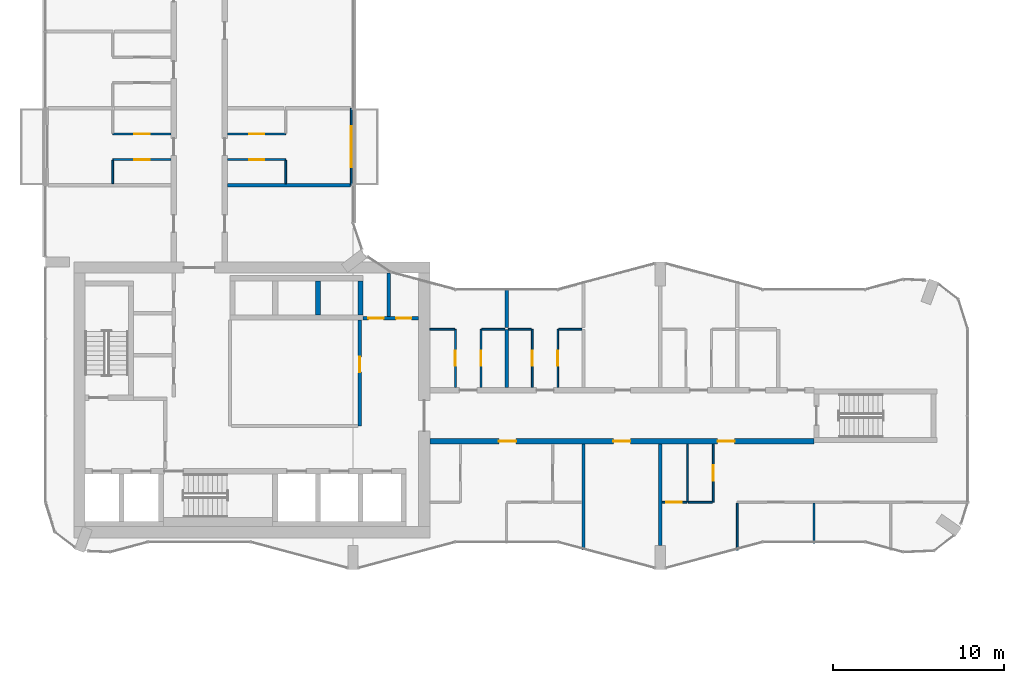
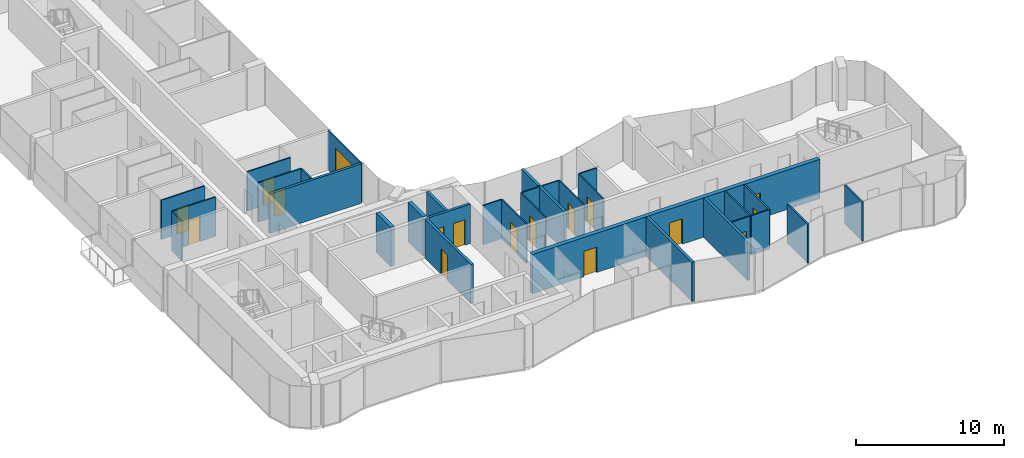
# One storey, part 14 of 22: 32 walls, 17 doors, 17 openings.
"""IFC4 building model written with IfcOpenShell, lengths in metres."""

import ifcopenshell
import ifcopenshell.guid

model = None  # the IFC model being written
_history = None  # IfcOwnerHistory: only IFC2X3 demands one
_inside = {}  # id of a spatial element -> (the spatial element, [elements in it])
_under = {}  # id of a project, library or spatial element -> (it, [spatial elements below it])
_declared = {}  # id of a project -> (the project, [libraries it declares])
_typed = {}  # id of a type object -> (the type object, [elements of that type])
_made_of = {}  # id of a material, layer set ... -> (it, [elements and type objects made of it])


def new_model(schema):
    """Start an empty IFC model of exactly this schema.

    Asked for "IFC4X3", IfcOpenShell would pick the latest addendum, in which some entities
    have other attributes; the version numbers below select the first issue.
    IFC2X3 requires an IfcOwnerHistory on every rooted entity: one is made here for all.
    """
    global model, _history
    if schema == "IFC4X3":
        model = ifcopenshell.file(schema_version=(4, 3, 0, 0))
    else:
        model = ifcopenshell.file(schema=schema)
    _inside.clear()
    _under.clear()
    _declared.clear()
    _typed.clear()
    _made_of.clear()
    _history = None
    if model.schema == "IFC2X3":
        org = make("IfcOrganization", Name="unknown")
        user = make(
            "IfcPersonAndOrganization",
            ThePerson=make("IfcPerson", FamilyName="unknown"),
            TheOrganization=org,
        )
        app = make(
            "IfcApplication",
            ApplicationDeveloper=org,
            Version="unknown",
            ApplicationFullName="unknown",
            ApplicationIdentifier="unknown",
        )
        _history = make(
            "IfcOwnerHistory",
            OwningUser=user,
            OwningApplication=app,
            ChangeAction="ADDED",
            CreationDate=0,
        )
    return model


def make(cls, **values):
    """One entity of the class cls with the attributes given. An attribute that is None is left unset."""
    return model.create_entity(
        cls, **{name: value for name, value in values.items() if value is not None}
    )


def rooted(cls, **values):
    """An entity with a GlobalId (a new one), such as an element, a storey or a relation."""
    return make(cls, GlobalId=ifcopenshell.guid.new(), OwnerHistory=_history, **values)


def si_unit(unit_type, name, prefix=None):
    """IfcSIUnit, for example si_unit("LENGTHUNIT", "METRE", prefix="MILLI")."""
    return make("IfcSIUnit", UnitType=unit_type, Prefix=prefix, Name=name)


def assignment(units):
    """IfcUnitAssignment: the units of a project."""
    return None if units is None else make("IfcUnitAssignment", Units=units)


def point(xyz):
    """IfcCartesianPoint."""
    return None if xyz is None else make("IfcCartesianPoint", Coordinates=xyz)


def direction(xyz):
    """IfcDirection."""
    return None if xyz is None else make("IfcDirection", DirectionRatios=xyz)


def frame(location, z_axis=None, x_axis=None):
    """IfcAxis2Placement3D, a coordinate frame: its origin and axes. An axis left out is left unset."""
    return make(
        "IfcAxis2Placement3D",
        Location=point(location),
        Axis=direction(z_axis),
        RefDirection=direction(x_axis),
    )


def frame_2d(location, x_axis=None):
    """IfcAxis2Placement2D, a coordinate frame in the plane: its origin and x axis."""
    return make(
        "IfcAxis2Placement2D", Location=point(location), RefDirection=direction(x_axis)
    )


def origin():
    """The frame at (0, 0, 0) with its axes left unset."""
    return frame((0.0, 0.0, 0.0))


def place(relative_to, where):
    """IfcLocalPlacement: puts the frame where relative to a parent placement (None: the world)."""
    return make(
        "IfcLocalPlacement", PlacementRelTo=relative_to, RelativePlacement=where
    )


def context(
    kind, dimensions, precision=None, world=None, true_north=None, identifier=None
):
    """IfcGeometricRepresentationContext, for example the 3D "Model" context."""
    return make(
        "IfcGeometricRepresentationContext",
        ContextIdentifier=identifier,
        ContextType=kind,
        CoordinateSpaceDimension=dimensions,
        Precision=precision,
        WorldCoordinateSystem=world,
        TrueNorth=true_north,
    )


def subcontext(parent, identifier, kind, view, scale=None):
    """IfcGeometricRepresentationSubContext, for example "Body" below "Model"."""
    return make(
        "IfcGeometricRepresentationSubContext",
        ContextIdentifier=identifier,
        ContextType=kind,
        ParentContext=parent,
        TargetScale=scale,
        TargetView=view,
    )


def project(units=None, contexts=None):
    """IfcProject with its units and contexts."""
    return rooted(
        "IfcProject",
        Name="project",
        RepresentationContexts=contexts,
        UnitsInContext=assignment(units),
    )


def spatial(cls, under=None, at=None, **own):
    """A site, building, storey or space (cls), placed at a placement, below another one or the project."""
    s = rooted(cls, ObjectPlacement=at, **own)
    if under is not None:
        _under.setdefault(under.id(), (under, []))[1].append(s)
    return s


def profile(cls, at=None, kind="AREA", **sizes):
    """A parametric profile (cls). Its sizes go by their IFC names, for example OverallWidth=200.0."""
    return make(cls, ProfileType=kind, Position=at, **sizes)


def rectangle(**sizes):
    """IfcRectangleProfileDef."""
    return profile("IfcRectangleProfileDef", **sizes)


def extrude(swept, where, along, depth):
    """IfcExtrudedAreaSolid: the profile swept, set in the frame where, extruded along a direction by depth."""
    return make(
        "IfcExtrudedAreaSolid",
        SweptArea=swept,
        Position=where,
        ExtrudedDirection=direction(along),
        Depth=depth,
    )


def shape(context_of_items, identifier, shape_type, items):
    """IfcShapeRepresentation: the items that make up one representation, for example the "Body"."""
    return make(
        "IfcShapeRepresentation",
        ContextOfItems=context_of_items,
        RepresentationIdentifier=identifier,
        RepresentationType=shape_type,
        Items=items,
    )


def material(Name=None, Category=None):
    """IfcMaterial."""
    return make("IfcMaterial", Name=Name, Category=Category)


def layer(
    of_material, thickness, ventilated=None, Name=None, Category=None, Priority=None
):
    """IfcMaterialLayer: one layer of a wall or slab, of a material (None: an air gap)."""
    return make(
        "IfcMaterialLayer",
        Material=of_material,
        LayerThickness=thickness,
        IsVentilated=ventilated,
        Name=Name,
        Category=Category,
        Priority=Priority,
    )


def layer_set(layers, Name=None):
    """IfcMaterialLayerSet."""
    return make("IfcMaterialLayerSet", MaterialLayers=layers, LayerSetName=Name)


def made_of(thing, what):
    """Note that an element or type object is made of a material, layer set ...; save() writes the relation."""
    if what is not None:
        _made_of.setdefault(what.id(), (what, []))[1].append(thing)
    return thing


def type_object(cls, material=None, **own):
    """A type object (cls), such as IfcWallType, which elements share."""
    return made_of(rooted(cls, **own), material)


def element(
    cls,
    number,
    at=None,
    inside=None,
    cuts=None,
    type_object=None,
    material=None,
    context=None,
    identifier="Body",
    shape_type=None,
    held_by="IfcProductDefinitionShape",
    body=None,
    shapes=None,
    **own,
):
    """One element of the class cls, such as IfcWall. Its Tag is "e" and its number.

    at: its placement. inside: the storey or other place that contains it. cuts: it is an
    opening in that element (IfcRelVoidsElement). A single representation is given by context,
    identifier, shape_type and body (its items); several are given by shapes. held_by: the class
    of the entity that holds the representations. save() writes the other relations.
    """
    e = rooted(cls, Tag="e%d" % number, ObjectPlacement=at, **own)
    if body is not None:
        shapes = [shape(context, identifier, shape_type, body)]
    if shapes is not None:
        e.Representation = make(held_by, Representations=shapes)
    if inside is not None:
        _inside.setdefault(inside.id(), (inside, []))[1].append(e)
    if cuts is not None:
        rooted(
            "IfcRelVoidsElement", RelatingBuildingElement=cuts, RelatedOpeningElement=e
        )
    if type_object is not None:
        _typed.setdefault(type_object.id(), (type_object, []))[1].append(e)
    return made_of(e, material)


def fill(opening, filler):
    """IfcRelFillsElement: the door or window that sits in an opening."""
    return rooted(
        "IfcRelFillsElement",
        RelatingOpeningElement=opening,
        RelatedBuildingElement=filler,
    )


def aggregate(whole, parts):
    """IfcRelAggregates: a whole, such as a stair, and the parts it consists of."""
    return rooted("IfcRelAggregates", RelatingObject=whole, RelatedObjects=parts)


def save(model, path):
    """Write the relations noted so far, then the file.

    IfcRelAggregates (storeys below a building ...), IfcRelContainedInSpatialStructure (elements
    in a storey), IfcRelDefinesByType, IfcRelAssociatesMaterial and IfcRelDeclares: one each for
    every whole, place, type object, material and project.
    """
    for whole, parts in _under.values():
        aggregate(whole, parts)
    for where, things in _inside.values():
        rooted(
            "IfcRelContainedInSpatialStructure",
            RelatedElements=things,
            RelatingStructure=where,
        )
    for kind, things in _typed.values():
        rooted("IfcRelDefinesByType", RelatedObjects=things, RelatingType=kind)
    for what, things in _made_of.values():
        rooted("IfcRelAssociatesMaterial", RelatedObjects=things, RelatingMaterial=what)
    for by, libraries in _declared.values():
        rooted("IfcRelDeclares", RelatingContext=by, RelatedDefinitions=libraries)
    model.write(path)


model = new_model("IFC4")

# Units and contexts
model_context = context("Model", 3, precision=1e-05, world=origin(), true_north=direction((0.0, 1.0)))
body_context = subcontext(model_context, "Body", "Model", "MODEL_VIEW")
ifc_project = project(units=[si_unit("LENGTHUNIT", "METRE"), si_unit("AREAUNIT", "SQUARE_METRE"), si_unit("VOLUMEUNIT", "CUBIC_METRE"), si_unit("PLANEANGLEUNIT", "RADIAN"), si_unit("MASSUNIT", "GRAM", prefix="KILO")], contexts=[model_context])

# Site, building, storey
site_placement = place(None, origin())
site = spatial("IfcSite", under=ifc_project, at=site_placement, CompositionType="ELEMENT")
building_placement = place(site_placement, origin())
building = spatial("IfcBuilding", under=site, at=building_placement, Name="Plateau Cross Towers", CompositionType="ELEMENT")
storey_placement = place(building_placement, frame((0.0, 0.0, 102.800048828125)))
storey = spatial("IfcBuildingStorey", under=building, at=storey_placement, Name="L26", CompositionType="ELEMENT", Elevation=102.800048828125)

# Wall, opening, door
ifc_material_1 = material(Name="Aluminium framed glazing", Category="aluminium")
ifc_layer_1 = layer(ifc_material_1, 0.10009765625)
ifc_layer_set_1 = layer_set([ifc_layer_1], Name="Aluminium framed glazing")
wall_type_1 = type_object("IfcWallType", Name="Balcony screen wall 100", PredefinedType="STANDARD", material=ifc_layer_set_1)
wall_1_placement = place(storey_placement, frame((17.89990234375, 27.0, 0.0), z_axis=(0.0, 0.0, 1.0), x_axis=(0.0, -1.0, 0.0)))
wall_1 = element("IfcWall", 1, at=wall_1_placement, inside=storey, type_object=wall_type_1, Name="Balcony screen wall A-BAL-L26-02", PredefinedType="STANDARD", context=body_context, shape_type="SweptSolid", body=[
    extrude(rectangle(XDim=4.5, YDim=0.10009765625, at=frame_2d((2.25, 0.0))), origin(), (0.0, 0.0, 1.0), 3.25),
])
opening_1_placement = place(wall_1_placement, frame((1.050048828125, 0.0, 0.0)))
opening_1 = element("IfcOpeningElement", 2, at=opening_1_placement, cuts=wall_1, Name="Opening D-B24", PredefinedType="OPENING", context=body_context, shape_type="SweptSolid", body=[
    extrude(rectangle(XDim=2.39990234375, YDim=2.39990234375, at=frame_2d((1.199951171875, 1.199951171875))), frame((0.0, 0.06005859375, 0.0), z_axis=(0.0, -1.0, 0.0), x_axis=(1.0, 0.0, 0.0)), (0.0, 0.0, 1.0), 0.1201171875),
])
ifc_material_2 = material(Name="Aluminium frame, double glazing", Category="aluminium")
door_type_1 = type_object("IfcDoorType", Name="Balcony sliding door 2400", OperationType="NOTDEFINED", PredefinedType="DOOR", material=ifc_material_2)
door_1_placement = place(opening_1_placement, origin())
door_1 = element("IfcDoor", 3, at=door_1_placement, inside=storey, type_object=door_type_1, Name="Balcony door A-BAL-L26-02", OperationType="SINGLE_SWING_LEFT", OverallHeight=2.39990234375, OverallWidth=2.39990234375, PredefinedType="DOOR", context=body_context, shape_type="SweptSolid", body=[
    extrude(rectangle(XDim=2.39990234375, YDim=2.39990234375, at=frame_2d((1.199951171875, 1.199951171875))), frame((0.0, 0.02490234375, 0.0), z_axis=(0.0, -1.0, 0.0), x_axis=(1.0, 0.0, 0.0)), (0.0, 0.0, 1.0), 0.050048828125),
])
fill(opening_1, door_1)

ifc_material_3 = material(Name="Concrete block, plastered both sides", Category="concrete")
ifc_layer_2 = layer(ifc_material_3, 0.199951171875)
ifc_layer_set_2 = layer_set([ifc_layer_2], Name="Concrete block, plastered both sides")
wall_type_2 = type_object("IfcWallType", Name="Core partition 200", PredefinedType="PARTITIONING", material=ifc_layer_set_2)
wall_2_placement = place(storey_placement, frame((18.39990234375, 8.39990234375, 0.0), z_axis=(0.0, 0.0, 1.0), x_axis=(0.0, 1.0, 0.0)))
wall_2 = element("IfcWall", 4, at=wall_2_placement, inside=storey, type_object=wall_type_2, Name="Core partition", PredefinedType="PARTITIONING", context=body_context, shape_type="SweptSolid", body=[
    extrude(rectangle(XDim=6.2001953125, YDim=0.199951171875, at=frame_2d((3.10009765625, 0.0))), origin(), (0.0, 0.0, 1.0), 3.25),
])
opening_2_placement = place(wall_2_placement, frame((3.14990234375, 0.0, 0.0)))
opening_2 = element("IfcOpeningElement", 5, at=opening_2_placement, cuts=wall_2, Name="Opening RD1", PredefinedType="OPENING", context=body_context, shape_type="SweptSolid", body=[
    extrude(rectangle(XDim=0.89990234375, YDim=2.10009765625, at=frame_2d((0.449951171875, 1.050048828125))), frame((0.0, 0.10986328125, 0.0), z_axis=(0.0, -1.0, 0.0), x_axis=(1.0, 0.0, 0.0)), (0.0, 0.0, 1.0), 0.219970703125),
])
ifc_material_4 = material(Name="Timber, fire-resisting leaf", Category="wood")
door_type_2 = type_object("IfcDoorType", Name="Core service door 900", OperationType="NOTDEFINED", PredefinedType="DOOR", material=ifc_material_4)
door_2_placement = place(opening_2_placement, origin())
door_2 = element("IfcDoor", 6, at=door_2_placement, inside=storey, type_object=door_type_2, Name="Core service door RD1", OperationType="SINGLE_SWING_LEFT", OverallHeight=2.10009765625, OverallWidth=0.89990234375, PredefinedType="DOOR", context=body_context, shape_type="SweptSolid", body=[
    extrude(rectangle(XDim=0.89990234375, YDim=2.10009765625, at=frame_2d((0.449951171875, 1.050048828125))), frame((0.0, 0.02490234375, 0.0), z_axis=(0.0, -1.0, 0.0), x_axis=(1.0, 0.0, 0.0)), (0.0, 0.0, 1.0), 0.050048828125),
])
fill(opening_2, door_2)

# Wall, openings, doors
wall_3_placement = place(storey_placement, frame((18.60009765625, 14.699951171875, 0.0), z_axis=(0.0, 0.0, 1.0), x_axis=(1.0, 0.0, 0.0)))
wall_3 = element("IfcWall", 7, at=wall_3_placement, inside=storey, type_object=wall_type_2, Name="Core partition", PredefinedType="PARTITIONING", context=body_context, shape_type="SweptSolid", body=[
    extrude(rectangle(XDim=3.25, YDim=0.199951171875, at=frame_2d((1.625, 0.0))), origin(), (0.0, 0.0, 1.0), 3.25),
])
opening_3_placement = place(wall_3_placement, frame((0.300048828125, 0.0, 0.0)))
opening_3 = element("IfcOpeningElement", 8, at=opening_3_placement, cuts=wall_3, Name="Opening RD2", PredefinedType="OPENING", context=body_context, shape_type="SweptSolid", body=[
    extrude(rectangle(XDim=0.89990234375, YDim=2.10009765625, at=frame_2d((0.449951171875, 1.050048828125))), frame((0.0, 0.10986328125, 0.0), z_axis=(0.0, -1.0, 0.0), x_axis=(1.0, 0.0, 0.0)), (0.0, 0.0, 1.0), 0.219970703125),
])
opening_4_placement = place(wall_3_placement, frame((1.925048828125, 0.0, 0.0)))
opening_4 = element("IfcOpeningElement", 9, at=opening_4_placement, cuts=wall_3, Name="Opening RD2", PredefinedType="OPENING", context=body_context, shape_type="SweptSolid", body=[
    extrude(rectangle(XDim=0.89990234375, YDim=2.10009765625, at=frame_2d((0.449951171875, 1.050048828125))), frame((0.0, 0.10986328125, 0.0), z_axis=(0.0, -1.0, 0.0), x_axis=(1.0, 0.0, 0.0)), (0.0, 0.0, 1.0), 0.219970703125),
])
ifc_material_5 = material(Name="Steel, fire-resisting leaf", Category="steel")
door_type_3 = type_object("IfcDoorType", Name="Core riser door 900", OperationType="NOTDEFINED", PredefinedType="DOOR", material=ifc_material_5)
door_3_placement = place(opening_3_placement, origin())
door_3 = element("IfcDoor", 10, at=door_3_placement, inside=storey, type_object=door_type_3, Name="Core riser door RD2", OperationType="SINGLE_SWING_LEFT", OverallHeight=2.10009765625, OverallWidth=0.89990234375, PredefinedType="DOOR", context=body_context, shape_type="SweptSolid", body=[
    extrude(rectangle(XDim=0.89990234375, YDim=2.10009765625, at=frame_2d((0.449951171875, 1.050048828125))), frame((0.0, 0.02490234375, 0.0), z_axis=(0.0, -1.0, 0.0), x_axis=(1.0, 0.0, 0.0)), (0.0, 0.0, 1.0), 0.050048828125),
])
fill(opening_3, door_3)
door_4_placement = place(opening_4_placement, origin())
door_4 = element("IfcDoor", 11, at=door_4_placement, inside=storey, type_object=door_type_3, Name="Core riser door RD2", OperationType="SINGLE_SWING_LEFT", OverallHeight=2.10009765625, OverallWidth=0.89990234375, PredefinedType="DOOR", context=body_context, shape_type="SweptSolid", body=[
    extrude(rectangle(XDim=0.89990234375, YDim=2.10009765625, at=frame_2d((0.449951171875, 1.050048828125))), frame((0.0, 0.02490234375, 0.0), z_axis=(0.0, -1.0, 0.0), x_axis=(1.0, 0.0, 0.0)), (0.0, 0.0, 1.0), 0.050048828125),
])
fill(opening_4, door_4)

# Walls
wall_4_placement = place(storey_placement, frame((20.10009765625, 14.800048828125, 0.0), z_axis=(0.0, 0.0, 1.0), x_axis=(0.0, 1.0, 0.0)))
element("IfcWall", 12, at=wall_4_placement, inside=storey, type_object=wall_type_2, Name="Core partition", PredefinedType="PARTITIONING", context=body_context, shape_type="SweptSolid", body=[
    extrude(rectangle(XDim=2.550048828125, YDim=0.199951171875, at=frame_2d((1.27490234375, 0.0))), origin(), (0.0, 0.0, 1.0), 3.25),
])
ifc_material_6 = material(Name="Concrete C60/75", Category="concrete")
ifc_layer_3 = layer(ifc_material_6, 0.300048828125)
ifc_layer_set_3 = layer_set([ifc_layer_3], Name="Concrete C60/75")
wall_type_3 = type_object("IfcWallType", Name="Core shaft wall 300", PredefinedType="SHEAR", material=ifc_layer_set_3)
for number, where, z_axis, x_axis, name in (
    (13, (15.949951171875, 14.89990234375, 0.0), (0.0, 0.0, 1.0), (0.0, 1.0, 0.0), "A-nb-v3@L26"),
    (14, (18.449951171875, 14.89990234375, 0.0), (0.0, 0.0, 1.0), (0.0, 1.0, 0.0), "A-nb-v4@L26"),
):
    element("IfcWall", number, at=place(storey_placement, frame(where, z_axis=z_axis, x_axis=x_axis)), inside=storey, type_object=wall_type_3, Name=name, PredefinedType="SHEAR", context=body_context, shape_type="SweptSolid", body=[
        extrude(rectangle(XDim=2.0, YDim=0.300048828125, at=frame_2d((1.0, 0.0))), origin(), (0.0, 0.0, 1.0), 3.25),
    ])

# Wall, openings, doors
ifc_layer_4 = layer(ifc_material_6, 0.324951171875)
ifc_layer_set_4 = layer_set([ifc_layer_4], Name="Concrete C60/75")
wall_type_4 = type_object("IfcWallType", Name="Corridor wall 325", PredefinedType="SHEAR", material=ifc_layer_set_4)
wall_5_placement = place(storey_placement, frame((22.5, 7.5, 0.0), z_axis=(0.0, 0.0, 1.0), x_axis=(1.0, 0.0, 0.0)))
wall_5 = element("IfcWall", 15, at=wall_5_placement, inside=storey, type_object=wall_type_4, Name="A-cw-S1@L26", PredefinedType="SHEAR", context=body_context, shape_type="SweptSolid", body=[
    extrude(rectangle(XDim=22.5, YDim=0.324951171875, at=frame_2d((11.25, 0.0))), origin(), (0.0, 0.0, 1.0), 3.25),
])
opening_5_placement = place(wall_5_placement, frame((4.050048828125, 0.0, 0.0)))
opening_5 = element("IfcOpeningElement", 16, at=opening_5_placement, cuts=wall_5, Name="Opening 26-01", PredefinedType="OPENING", context=body_context, shape_type="SweptSolid", body=[
    extrude(rectangle(XDim=1.0, YDim=2.10009765625, at=frame_2d((0.5, 1.050048828125))), frame((0.0, 0.17236328125, 0.0), z_axis=(0.0, -1.0, 0.0), x_axis=(1.0, 0.0, 0.0)), (0.0, 0.0, 1.0), 0.344970703125),
])
opening_6_placement = place(wall_5_placement, frame((10.75, 0.0, 0.0)))
opening_6 = element("IfcOpeningElement", 17, at=opening_6_placement, cuts=wall_5, Name="Opening 26-02", PredefinedType="OPENING", context=body_context, shape_type="SweptSolid", body=[
    extrude(rectangle(XDim=1.0, YDim=2.10009765625, at=frame_2d((0.5, 1.050048828125))), frame((0.0, 0.17236328125, 0.0), z_axis=(0.0, -1.0, 0.0), x_axis=(1.0, 0.0, 0.0)), (0.0, 0.0, 1.0), 0.344970703125),
])
opening_7_placement = place(wall_5_placement, frame((16.85009765625, 0.0, 0.0)))
opening_7 = element("IfcOpeningElement", 18, at=opening_7_placement, cuts=wall_5, Name="Opening 26-03", PredefinedType="OPENING", context=body_context, shape_type="SweptSolid", body=[
    extrude(rectangle(XDim=1.0, YDim=2.10009765625, at=frame_2d((0.5, 1.050048828125))), frame((0.0, 0.17236328125, 0.0), z_axis=(0.0, -1.0, 0.0), x_axis=(1.0, 0.0, 0.0)), (0.0, 0.0, 1.0), 0.344970703125),
])
door_type_4 = type_object("IfcDoorType", Name="Flat entrance door 1000", OperationType="NOTDEFINED", PredefinedType="DOOR", material=ifc_material_4)
door_5_placement = place(opening_5_placement, origin())
door_5 = element("IfcDoor", 19, at=door_5_placement, inside=storey, type_object=door_type_4, Name="Door 26-01", OperationType="SINGLE_SWING_LEFT", OverallHeight=2.10009765625, OverallWidth=1.0, PredefinedType="DOOR", context=body_context, shape_type="SweptSolid", body=[
    extrude(rectangle(XDim=1.0, YDim=2.10009765625, at=frame_2d((0.5, 1.050048828125))), frame((0.0, 0.02490234375, 0.0), z_axis=(0.0, -1.0, 0.0), x_axis=(1.0, 0.0, 0.0)), (0.0, 0.0, 1.0), 0.050048828125),
])
fill(opening_5, door_5)
door_6_placement = place(opening_6_placement, origin())
door_6 = element("IfcDoor", 20, at=door_6_placement, inside=storey, type_object=door_type_4, Name="Door 26-02", OperationType="SINGLE_SWING_LEFT", OverallHeight=2.10009765625, OverallWidth=1.0, PredefinedType="DOOR", context=body_context, shape_type="SweptSolid", body=[
    extrude(rectangle(XDim=1.0, YDim=2.10009765625, at=frame_2d((0.5, 1.050048828125))), frame((0.0, 0.02490234375, 0.0), z_axis=(0.0, -1.0, 0.0), x_axis=(1.0, 0.0, 0.0)), (0.0, 0.0, 1.0), 0.050048828125),
])
fill(opening_6, door_6)
door_7_placement = place(opening_7_placement, origin())
door_7 = element("IfcDoor", 21, at=door_7_placement, inside=storey, type_object=door_type_4, Name="Door 26-03", OperationType="SINGLE_SWING_RIGHT", OverallHeight=2.10009765625, OverallWidth=1.0, PredefinedType="DOOR", context=body_context, shape_type="SweptSolid", body=[
    extrude(rectangle(XDim=1.0, YDim=2.10009765625, at=frame_2d((0.5, 1.050048828125))), frame((0.0, 0.02490234375, 0.0), z_axis=(0.0, -1.0, 0.0), x_axis=(1.0, 0.0, 0.0)), (0.0, 0.0, 1.0), 0.050048828125),
])
fill(opening_7, door_7)

# Wall, opening, door
ifc_material_7 = material(Name="Gypsum board on steel studs", Category="steel")
ifc_layer_5 = layer(ifc_material_7, 0.10009765625)
ifc_layer_set_5 = layer_set([ifc_layer_5], Name="Gypsum board on steel studs")
wall_type_5 = type_object("IfcWallType", Name="Flat partition 100", PredefinedType="PARTITIONING", material=ifc_layer_set_5)
wall_6_placement = place(storey_placement, frame((36.10009765625, 3.9375, 0.0), z_axis=(0.0, 0.0, 1.0), x_axis=(1.0, 0.0, 0.0)))
wall_6 = element("IfcWall", 22, at=wall_6_placement, inside=storey, type_object=wall_type_5, Name="Partition wall", PredefinedType="PARTITIONING", context=body_context, shape_type="SweptSolid", body=[
    extrude(rectangle(XDim=1.449951171875, YDim=0.10009765625, at=frame_2d((0.72509765625, 0.0))), origin(), (0.0, 0.0, 1.0), 3.25),
])
opening_8_placement = place(wall_6_placement, frame((0.25, 0.0, 0.0)))
opening_8 = element("IfcOpeningElement", 23, at=opening_8_placement, cuts=wall_6, Name="Opening 26-24", PredefinedType="OPENING", context=body_context, shape_type="SweptSolid", body=[
    extrude(rectangle(XDim=0.89990234375, YDim=2.10009765625, at=frame_2d((0.449951171875, 1.050048828125))), frame((0.0, 0.06005859375, 0.0), z_axis=(0.0, -1.0, 0.0), x_axis=(1.0, 0.0, 0.0)), (0.0, 0.0, 1.0), 0.1201171875),
])
ifc_material_8 = material(Name="Timber leaf", Category="wood")
door_type_5 = type_object("IfcDoorType", Name="Flat room door 900", OperationType="NOTDEFINED", PredefinedType="DOOR", material=ifc_material_8)
door_8_placement = place(opening_8_placement, origin())
door_8 = element("IfcDoor", 24, at=door_8_placement, inside=storey, type_object=door_type_5, Name="Door 26-24", OperationType="SINGLE_SWING_LEFT", OverallHeight=2.10009765625, OverallWidth=0.89990234375, PredefinedType="DOOR", context=body_context, shape_type="SweptSolid", body=[
    extrude(rectangle(XDim=0.89990234375, YDim=2.10009765625, at=frame_2d((0.449951171875, 1.050048828125))), frame((0.0, 0.02490234375, 0.0), z_axis=(0.0, -1.0, 0.0), x_axis=(1.0, 0.0, 0.0)), (0.0, 0.0, 1.0), 0.050048828125),
])
fill(opening_8, door_8)

# Walls
wall_7_placement = place(storey_placement, frame((37.64990234375, 3.9375, 0.0), z_axis=(0.0, 0.0, 1.0), x_axis=(1.0, 0.0, 0.0)))
element("IfcWall", 25, at=wall_7_placement, inside=storey, type_object=wall_type_5, Name="Partition wall", PredefinedType="PARTITIONING", context=body_context, shape_type="SweptSolid", body=[
    extrude(rectangle(XDim=1.400146484375, YDim=0.10009765625, at=frame_2d((0.7001953125, 0.0))), origin(), (0.0, 0.0, 1.0), 3.25),
])
wall_8_placement = place(storey_placement, frame((23.949951171875, 14.0625, 0.0), z_axis=(0.0, 0.0, 1.0), x_axis=(-1.0, 0.0, 0.0)))
element("IfcWall", 26, at=wall_8_placement, inside=storey, type_object=wall_type_5, Name="Partition wall", PredefinedType="PARTITIONING", context=body_context, shape_type="SweptSolid", body=[
    extrude(rectangle(XDim=1.449951171875, YDim=0.10009765625, at=frame_2d((0.72509765625, 0.0))), origin(), (0.0, 0.0, 1.0), 3.25),
])
for number, where, z_axis, x_axis, name in (
    (27, (26.89990234375, 14.0625, 0.0), (0.0, 0.0, 1.0), (-1.0, 0.0, 0.0), "Partition wall"),
    (28, (28.449951171875, 14.0625, 0.0), (0.0, 0.0, 1.0), (-1.0, 0.0, 0.0), "Partition wall"),
    (29, (31.39990234375, 14.0625, 0.0), (0.0, 0.0, 1.0), (-1.0, 0.0, 0.0), "Partition wall"),
):
    element("IfcWall", number, at=place(storey_placement, frame(where, z_axis=z_axis, x_axis=x_axis)), inside=storey, type_object=wall_type_5, Name=name, PredefinedType="PARTITIONING", context=body_context, shape_type="SweptSolid", body=[
        extrude(rectangle(XDim=1.349853515625, YDim=0.10009765625, at=frame_2d((0.6748046875, 0.0))), origin(), (0.0, 0.0, 1.0), 3.25),
    ])

# Wall, opening, door
wall_9_placement = place(storey_placement, frame((7.33740234375, 24.0, 0.0), z_axis=(0.0, 0.0, 1.0), x_axis=(-1.0, 0.0, 0.0)))
wall_9 = element("IfcWall", 30, at=wall_9_placement, inside=storey, type_object=wall_type_5, Name="Partition wall", PredefinedType="PARTITIONING", context=body_context, shape_type="SweptSolid", body=[
    extrude(rectangle(XDim=3.39990234375, YDim=0.10009765625, at=frame_2d((1.699951171875, 0.0))), origin(), (0.0, 0.0, 1.0), 3.25),
])
opening_9_placement = place(wall_9_placement, frame((1.25, 0.0, 0.0)))
opening_9 = element("IfcOpeningElement", 31, at=opening_9_placement, cuts=wall_9, Name="Opening 26-35", PredefinedType="OPENING", context=body_context, shape_type="SweptSolid", body=[
    extrude(rectangle(XDim=0.89990234375, YDim=2.10009765625, at=frame_2d((0.449951171875, 1.050048828125))), frame((0.0, 0.06005859375, 0.0), z_axis=(0.0, -1.0, 0.0), x_axis=(1.0, 0.0, 0.0)), (0.0, 0.0, 1.0), 0.1201171875),
])
door_9_placement = place(opening_9_placement, origin())
door_9 = element("IfcDoor", 32, at=door_9_placement, inside=storey, type_object=door_type_5, Name="Door 26-35", OperationType="SINGLE_SWING_LEFT", OverallHeight=2.10009765625, OverallWidth=0.89990234375, PredefinedType="DOOR", context=body_context, shape_type="SweptSolid", body=[
    extrude(rectangle(XDim=0.89990234375, YDim=2.10009765625, at=frame_2d((0.449951171875, 1.050048828125))), frame((0.0, 0.02490234375, 0.0), z_axis=(0.0, -1.0, 0.0), x_axis=(1.0, 0.0, 0.0)), (0.0, 0.0, 1.0), 0.050048828125),
])
fill(opening_9, door_9)

wall_10_placement = place(storey_placement, frame((14.0625, 24.0, 0.0), z_axis=(0.0, 0.0, 1.0), x_axis=(-1.0, 0.0, 0.0)))
wall_10 = element("IfcWall", 33, at=wall_10_placement, inside=storey, type_object=wall_type_5, Name="Partition wall", PredefinedType="PARTITIONING", context=body_context, shape_type="SweptSolid", body=[
    extrude(rectangle(XDim=3.39990234375, YDim=0.10009765625, at=frame_2d((1.699951171875, 0.0))), origin(), (0.0, 0.0, 1.0), 3.25),
])
opening_10_placement = place(wall_10_placement, frame((1.25, 0.0, 0.0)))
opening_10 = element("IfcOpeningElement", 34, at=opening_10_placement, cuts=wall_10, Name="Opening 26-41", PredefinedType="OPENING", context=body_context, shape_type="SweptSolid", body=[
    extrude(rectangle(XDim=0.89990234375, YDim=2.10009765625, at=frame_2d((0.449951171875, 1.050048828125))), frame((0.0, 0.06005859375, 0.0), z_axis=(0.0, -1.0, 0.0), x_axis=(1.0, 0.0, 0.0)), (0.0, 0.0, 1.0), 0.1201171875),
])
door_10_placement = place(opening_10_placement, origin())
door_10 = element("IfcDoor", 35, at=door_10_placement, inside=storey, type_object=door_type_5, Name="Door 26-41", OperationType="SINGLE_SWING_LEFT", OverallHeight=2.10009765625, OverallWidth=0.89990234375, PredefinedType="DOOR", context=body_context, shape_type="SweptSolid", body=[
    extrude(rectangle(XDim=0.89990234375, YDim=2.10009765625, at=frame_2d((0.449951171875, 1.050048828125))), frame((0.0, 0.02490234375, 0.0), z_axis=(0.0, -1.0, 0.0), x_axis=(1.0, 0.0, 0.0)), (0.0, 0.0, 1.0), 0.050048828125),
])
fill(opening_10, door_10)

wall_11_placement = place(storey_placement, frame((3.9375, 25.5, 0.0), z_axis=(0.0, 0.0, 1.0), x_axis=(1.0, 0.0, 0.0)))
wall_11 = element("IfcWall", 36, at=wall_11_placement, inside=storey, type_object=wall_type_5, Name="Partition wall", PredefinedType="PARTITIONING", context=body_context, shape_type="SweptSolid", body=[
    extrude(rectangle(XDim=3.39990234375, YDim=0.10009765625, at=frame_2d((1.699951171875, 0.0))), origin(), (0.0, 0.0, 1.0), 3.25),
])
opening_11_placement = place(wall_11_placement, frame((1.25, 0.0, 0.0)))
opening_11 = element("IfcOpeningElement", 37, at=opening_11_placement, cuts=wall_11, Name="Opening 26-36", PredefinedType="OPENING", context=body_context, shape_type="SweptSolid", body=[
    extrude(rectangle(XDim=0.89990234375, YDim=2.10009765625, at=frame_2d((0.449951171875, 1.050048828125))), frame((0.0, 0.06005859375, 0.0), z_axis=(0.0, -1.0, 0.0), x_axis=(1.0, 0.0, 0.0)), (0.0, 0.0, 1.0), 0.1201171875),
])
door_11_placement = place(opening_11_placement, origin())
door_11 = element("IfcDoor", 38, at=door_11_placement, inside=storey, type_object=door_type_5, Name="Door 26-36", OperationType="SINGLE_SWING_LEFT", OverallHeight=2.10009765625, OverallWidth=0.89990234375, PredefinedType="DOOR", context=body_context, shape_type="SweptSolid", body=[
    extrude(rectangle(XDim=0.89990234375, YDim=2.10009765625, at=frame_2d((0.449951171875, 1.050048828125))), frame((0.0, 0.02490234375, 0.0), z_axis=(0.0, -1.0, 0.0), x_axis=(1.0, 0.0, 0.0)), (0.0, 0.0, 1.0), 0.050048828125),
])
fill(opening_11, door_11)

wall_12_placement = place(storey_placement, frame((10.66259765625, 25.5, 0.0), z_axis=(0.0, 0.0, 1.0), x_axis=(1.0, 0.0, 0.0)))
wall_12 = element("IfcWall", 39, at=wall_12_placement, inside=storey, type_object=wall_type_5, Name="Partition wall", PredefinedType="PARTITIONING", context=body_context, shape_type="SweptSolid", body=[
    extrude(rectangle(XDim=3.39990234375, YDim=0.10009765625, at=frame_2d((1.699951171875, 0.0))), origin(), (0.0, 0.0, 1.0), 3.25),
])
opening_12_placement = place(wall_12_placement, frame((1.25, 0.0, 0.0)))
opening_12 = element("IfcOpeningElement", 40, at=opening_12_placement, cuts=wall_12, Name="Opening 26-42", PredefinedType="OPENING", context=body_context, shape_type="SweptSolid", body=[
    extrude(rectangle(XDim=0.89990234375, YDim=2.10009765625, at=frame_2d((0.449951171875, 1.050048828125))), frame((0.0, 0.06005859375, 0.0), z_axis=(0.0, -1.0, 0.0), x_axis=(1.0, 0.0, 0.0)), (0.0, 0.0, 1.0), 0.1201171875),
])
door_12_placement = place(opening_12_placement, origin())
door_12 = element("IfcDoor", 41, at=door_12_placement, inside=storey, type_object=door_type_5, Name="Door 26-42", OperationType="SINGLE_SWING_LEFT", OverallHeight=2.10009765625, OverallWidth=0.89990234375, PredefinedType="DOOR", context=body_context, shape_type="SweptSolid", body=[
    extrude(rectangle(XDim=0.89990234375, YDim=2.10009765625, at=frame_2d((0.449951171875, 1.050048828125))), frame((0.0, 0.02490234375, 0.0), z_axis=(0.0, -1.0, 0.0), x_axis=(1.0, 0.0, 0.0)), (0.0, 0.0, 1.0), 0.050048828125),
])
fill(opening_12, door_12)

# Walls
for number, where, z_axis, x_axis, name in (
    (42, (3.9375, 23.949951171875, 0.0), (0.0, 0.0, 1.0), (0.0, -1.0, 0.0), "Partition wall"),
    (43, (14.0625, 22.60009765625, 0.0), (0.0, 0.0, 1.0), (0.0, 1.0, 0.0), "Partition wall"),
):
    element("IfcWall", number, at=place(storey_placement, frame(where, z_axis=z_axis, x_axis=x_axis)), inside=storey, type_object=wall_type_5, Name=name, PredefinedType="PARTITIONING", context=body_context, shape_type="SweptSolid", body=[
        extrude(rectangle(XDim=1.349853515625, YDim=0.10009765625, at=frame_2d((0.6748046875, 0.0))), origin(), (0.0, 0.0, 1.0), 3.25),
    ])

# Wall, opening, door
wall_13_placement = place(storey_placement, frame((24.0, 10.66259765625, 0.0), z_axis=(0.0, 0.0, 1.0), x_axis=(0.0, 1.0, 0.0)))
wall_13 = element("IfcWall", 44, at=wall_13_placement, inside=storey, type_object=wall_type_5, Name="Partition wall", PredefinedType="PARTITIONING", context=body_context, shape_type="SweptSolid", body=[
    extrude(rectangle(XDim=3.39990234375, YDim=0.10009765625, at=frame_2d((1.699951171875, 0.0))), origin(), (0.0, 0.0, 1.0), 3.25),
])
opening_13_placement = place(wall_13_placement, frame((1.25, 0.0, 0.0)))
opening_13 = element("IfcOpeningElement", 45, at=opening_13_placement, cuts=wall_13, Name="Opening 26-29", PredefinedType="OPENING", context=body_context, shape_type="SweptSolid", body=[
    extrude(rectangle(XDim=0.89990234375, YDim=2.10009765625, at=frame_2d((0.449951171875, 1.050048828125))), frame((0.0, 0.06005859375, 0.0), z_axis=(0.0, -1.0, 0.0), x_axis=(1.0, 0.0, 0.0)), (0.0, 0.0, 1.0), 0.1201171875),
])
door_13_placement = place(opening_13_placement, origin())
door_13 = element("IfcDoor", 46, at=door_13_placement, inside=storey, type_object=door_type_5, Name="Door 26-29", OperationType="SINGLE_SWING_LEFT", OverallHeight=2.10009765625, OverallWidth=0.89990234375, PredefinedType="DOOR", context=body_context, shape_type="SweptSolid", body=[
    extrude(rectangle(XDim=0.89990234375, YDim=2.10009765625, at=frame_2d((0.449951171875, 1.050048828125))), frame((0.0, 0.02490234375, 0.0), z_axis=(0.0, -1.0, 0.0), x_axis=(1.0, 0.0, 0.0)), (0.0, 0.0, 1.0), 0.050048828125),
])
fill(opening_13, door_13)

wall_14_placement = place(storey_placement, frame((25.5, 14.0625, 0.0), z_axis=(0.0, 0.0, 1.0), x_axis=(0.0, -1.0, 0.0)))
wall_14 = element("IfcWall", 47, at=wall_14_placement, inside=storey, type_object=wall_type_5, Name="Partition wall", PredefinedType="PARTITIONING", context=body_context, shape_type="SweptSolid", body=[
    extrude(rectangle(XDim=3.39990234375, YDim=0.10009765625, at=frame_2d((1.699951171875, 0.0))), origin(), (0.0, 0.0, 1.0), 3.25),
])
opening_14_placement = place(wall_14_placement, frame((1.25, 0.0, 0.0)))
opening_14 = element("IfcOpeningElement", 48, at=opening_14_placement, cuts=wall_14, Name="Opening 26-30", PredefinedType="OPENING", context=body_context, shape_type="SweptSolid", body=[
    extrude(rectangle(XDim=0.89990234375, YDim=2.10009765625, at=frame_2d((0.449951171875, 1.050048828125))), frame((0.0, 0.06005859375, 0.0), z_axis=(0.0, -1.0, 0.0), x_axis=(1.0, 0.0, 0.0)), (0.0, 0.0, 1.0), 0.1201171875),
])
door_14_placement = place(opening_14_placement, origin())
door_14 = element("IfcDoor", 49, at=door_14_placement, inside=storey, type_object=door_type_5, Name="Door 26-30", OperationType="SINGLE_SWING_LEFT", OverallHeight=2.10009765625, OverallWidth=0.89990234375, PredefinedType="DOOR", context=body_context, shape_type="SweptSolid", body=[
    extrude(rectangle(XDim=0.89990234375, YDim=2.10009765625, at=frame_2d((0.449951171875, 1.050048828125))), frame((0.0, 0.02490234375, 0.0), z_axis=(0.0, -1.0, 0.0), x_axis=(1.0, 0.0, 0.0)), (0.0, 0.0, 1.0), 0.050048828125),
])
fill(opening_14, door_14)

wall_15_placement = place(storey_placement, frame((28.5, 10.66259765625, 0.0), z_axis=(0.0, 0.0, 1.0), x_axis=(0.0, 1.0, 0.0)))
wall_15 = element("IfcWall", 50, at=wall_15_placement, inside=storey, type_object=wall_type_5, Name="Partition wall", PredefinedType="PARTITIONING", context=body_context, shape_type="SweptSolid", body=[
    extrude(rectangle(XDim=3.39990234375, YDim=0.10009765625, at=frame_2d((1.699951171875, 0.0))), origin(), (0.0, 0.0, 1.0), 3.25),
])
opening_15_placement = place(wall_15_placement, frame((1.25, 0.0, 0.0)))
opening_15 = element("IfcOpeningElement", 51, at=opening_15_placement, cuts=wall_15, Name="Opening 26-31", PredefinedType="OPENING", context=body_context, shape_type="SweptSolid", body=[
    extrude(rectangle(XDim=0.89990234375, YDim=2.10009765625, at=frame_2d((0.449951171875, 1.050048828125))), frame((0.0, 0.06005859375, 0.0), z_axis=(0.0, -1.0, 0.0), x_axis=(1.0, 0.0, 0.0)), (0.0, 0.0, 1.0), 0.1201171875),
])
door_15_placement = place(opening_15_placement, origin())
door_15 = element("IfcDoor", 52, at=door_15_placement, inside=storey, type_object=door_type_5, Name="Door 26-31", OperationType="SINGLE_SWING_LEFT", OverallHeight=2.10009765625, OverallWidth=0.89990234375, PredefinedType="DOOR", context=body_context, shape_type="SweptSolid", body=[
    extrude(rectangle(XDim=0.89990234375, YDim=2.10009765625, at=frame_2d((0.449951171875, 1.050048828125))), frame((0.0, 0.02490234375, 0.0), z_axis=(0.0, -1.0, 0.0), x_axis=(1.0, 0.0, 0.0)), (0.0, 0.0, 1.0), 0.050048828125),
])
fill(opening_15, door_15)

wall_16_placement = place(storey_placement, frame((30.0, 14.0625, 0.0), z_axis=(0.0, 0.0, 1.0), x_axis=(0.0, -1.0, 0.0)))
wall_16 = element("IfcWall", 53, at=wall_16_placement, inside=storey, type_object=wall_type_5, Name="Partition wall", PredefinedType="PARTITIONING", context=body_context, shape_type="SweptSolid", body=[
    extrude(rectangle(XDim=3.39990234375, YDim=0.10009765625, at=frame_2d((1.699951171875, 0.0))), origin(), (0.0, 0.0, 1.0), 3.25),
])
opening_16_placement = place(wall_16_placement, frame((1.25, 0.0, 0.0)))
opening_16 = element("IfcOpeningElement", 54, at=opening_16_placement, cuts=wall_16, Name="Opening 26-32", PredefinedType="OPENING", context=body_context, shape_type="SweptSolid", body=[
    extrude(rectangle(XDim=0.89990234375, YDim=2.10009765625, at=frame_2d((0.449951171875, 1.050048828125))), frame((0.0, 0.06005859375, 0.0), z_axis=(0.0, -1.0, 0.0), x_axis=(1.0, 0.0, 0.0)), (0.0, 0.0, 1.0), 0.1201171875),
])
door_16_placement = place(opening_16_placement, origin())
door_16 = element("IfcDoor", 55, at=door_16_placement, inside=storey, type_object=door_type_5, Name="Door 26-32", OperationType="SINGLE_SWING_LEFT", OverallHeight=2.10009765625, OverallWidth=0.89990234375, PredefinedType="DOOR", context=body_context, shape_type="SweptSolid", body=[
    extrude(rectangle(XDim=0.89990234375, YDim=2.10009765625, at=frame_2d((0.449951171875, 1.050048828125))), frame((0.0, 0.02490234375, 0.0), z_axis=(0.0, -1.0, 0.0), x_axis=(1.0, 0.0, 0.0)), (0.0, 0.0, 1.0), 0.050048828125),
])
fill(opening_16, door_16)

# Wall
wall_17_placement = place(storey_placement, frame((37.60009765625, 3.9375, 0.0), z_axis=(0.0, 0.0, 1.0), x_axis=(0.0, 1.0, 0.0)))
element("IfcWall", 56, at=wall_17_placement, inside=storey, type_object=wall_type_5, Name="Partition wall", PredefinedType="PARTITIONING", context=body_context, shape_type="SweptSolid", body=[
    extrude(rectangle(XDim=3.39990234375, YDim=0.10009765625, at=frame_2d((1.699951171875, 0.0))), origin(), (0.0, 0.0, 1.0), 3.25),
])

# Wall, opening, door
wall_18_placement = place(storey_placement, frame((39.10009765625, 3.9375, 0.0), z_axis=(0.0, 0.0, 1.0), x_axis=(0.0, 1.0, 0.0)))
wall_18 = element("IfcWall", 57, at=wall_18_placement, inside=storey, type_object=wall_type_5, Name="Partition wall", PredefinedType="PARTITIONING", context=body_context, shape_type="SweptSolid", body=[
    extrude(rectangle(XDim=3.39990234375, YDim=0.10009765625, at=frame_2d((1.699951171875, 0.0))), origin(), (0.0, 0.0, 1.0), 3.25),
])
opening_17_placement = place(wall_18_placement, frame((1.25, 0.0, 0.0)))
opening_17 = element("IfcOpeningElement", 58, at=opening_17_placement, cuts=wall_18, Name="Opening 26-25", PredefinedType="OPENING", context=body_context, shape_type="SweptSolid", body=[
    extrude(rectangle(XDim=0.89990234375, YDim=2.10009765625, at=frame_2d((0.449951171875, 1.050048828125))), frame((0.0, 0.06005859375, 0.0), z_axis=(0.0, -1.0, 0.0), x_axis=(1.0, 0.0, 0.0)), (0.0, 0.0, 1.0), 0.1201171875),
])
door_17_placement = place(opening_17_placement, origin())
door_17 = element("IfcDoor", 59, at=door_17_placement, inside=storey, type_object=door_type_5, Name="Door 26-25", OperationType="SINGLE_SWING_LEFT", OverallHeight=2.10009765625, OverallWidth=0.89990234375, PredefinedType="DOOR", context=body_context, shape_type="SweptSolid", body=[
    extrude(rectangle(XDim=0.89990234375, YDim=2.10009765625, at=frame_2d((0.449951171875, 1.050048828125))), frame((0.0, 0.02490234375, 0.0), z_axis=(0.0, -1.0, 0.0), x_axis=(1.0, 0.0, 0.0)), (0.0, 0.0, 1.0), 0.050048828125),
])
fill(opening_17, door_17)

# Walls
wall_19_placement = place(storey_placement, frame((40.5, 3.887451171875, 0.0), z_axis=(0.0, 0.0, 1.0), x_axis=(0.0, -1.0, 0.0)))
element("IfcWall", 60, at=wall_19_placement, inside=storey, type_object=wall_type_5, Name="Partition wall", PredefinedType="PARTITIONING", context=body_context, shape_type="SweptSolid", body=[
    extrude(rectangle(XDim=2.76513671875, YDim=0.10009765625, at=frame_2d((1.382568359375, 0.0))), origin(), (0.0, 0.0, 1.0), 3.25),
])
wall_20_placement = place(storey_placement, frame((45.0, 1.52685546875, 0.0), z_axis=(0.0, 0.0, 1.0), x_axis=(0.0, 1.0, 0.0)))
element("IfcWall", 61, at=wall_20_placement, inside=storey, type_object=wall_type_5, Name="Partition wall", PredefinedType="PARTITIONING", context=body_context, shape_type="SweptSolid", body=[
    extrude(rectangle(XDim=2.360595703125, YDim=0.10009765625, at=frame_2d((1.18017578125, 0.0))), origin(), (0.0, 0.0, 1.0), 3.25),
])
ifc_material_9 = material(Name="Gypsum board on steel studs, two layers each side", Category="steel")
ifc_layer_6 = layer(ifc_material_9, 0.199951171875)
ifc_layer_set_6 = layer_set([ifc_layer_6], Name="Gypsum board on steel studs, two layers each side")
wall_type_6 = type_object("IfcWallType", Name="Flat party wall 200", PredefinedType="PARTITIONING", material=ifc_layer_set_6)
wall_21_placement = place(storey_placement, frame((17.85009765625, 22.5, 0.0), z_axis=(0.0, 0.0, 1.0), x_axis=(-1.0, 0.0, 0.0)))
element("IfcWall", 62, at=wall_21_placement, inside=storey, type_object=wall_type_6, Name="Party wall", PredefinedType="PARTITIONING", context=body_context, shape_type="SweptSolid", body=[
    extrude(rectangle(XDim=7.1875, YDim=0.199951171875, at=frame_2d((3.59375, 0.0))), origin(), (0.0, 0.0, 1.0), 3.25),
])
wall_22_placement = place(storey_placement, frame((27.0, 16.47314453125, 0.0), z_axis=(0.0, 0.0, 1.0), x_axis=(0.0, -1.0, 0.0)))
element("IfcWall", 63, at=wall_22_placement, inside=storey, type_object=wall_type_6, Name="Party wall", PredefinedType="PARTITIONING", context=body_context, shape_type="SweptSolid", body=[
    extrude(rectangle(XDim=2.310546875, YDim=0.199951171875, at=frame_2d((1.1552734375, 0.0))), origin(), (0.0, 0.0, 1.0), 3.25),
])
wall_23_placement = place(storey_placement, frame((27.0, 10.66259765625, 0.0), z_axis=(0.0, 0.0, 1.0), x_axis=(0.0, 1.0, 0.0)))
element("IfcWall", 64, at=wall_23_placement, inside=storey, type_object=wall_type_6, Name="Party wall", PredefinedType="PARTITIONING", context=body_context, shape_type="SweptSolid", body=[
    extrude(rectangle(XDim=3.39990234375, YDim=0.199951171875, at=frame_2d((1.699951171875, 0.0))), origin(), (0.0, 0.0, 1.0), 3.25),
])
wall_24_placement = place(storey_placement, frame((31.5, 1.122314453125, 0.0), z_axis=(0.0, 0.0, 1.0), x_axis=(0.0, 1.0, 0.0)))
element("IfcWall", 65, at=wall_24_placement, inside=storey, type_object=wall_type_6, Name="Party wall", PredefinedType="PARTITIONING", context=body_context, shape_type="SweptSolid", body=[
    extrude(rectangle(XDim=6.215087890625, YDim=0.199951171875, at=frame_2d((3.107421875, 0.0))), origin(), (0.0, 0.0, 1.0), 3.25),
])
wall_25_placement = place(storey_placement, frame((36.0, 1.39990234375, 0.0), z_axis=(0.0, 0.0, 1.0), x_axis=(0.0, 1.0, 0.0)))
element("IfcWall", 66, at=wall_25_placement, inside=storey, type_object=wall_type_6, Name="Party wall", PredefinedType="PARTITIONING", context=body_context, shape_type="SweptSolid", body=[
    extrude(rectangle(XDim=5.9375, YDim=0.199951171875, at=frame_2d((2.96875, 0.0))), origin(), (0.0, 0.0, 1.0), 3.25),
])

save(model, "model.ifc")
